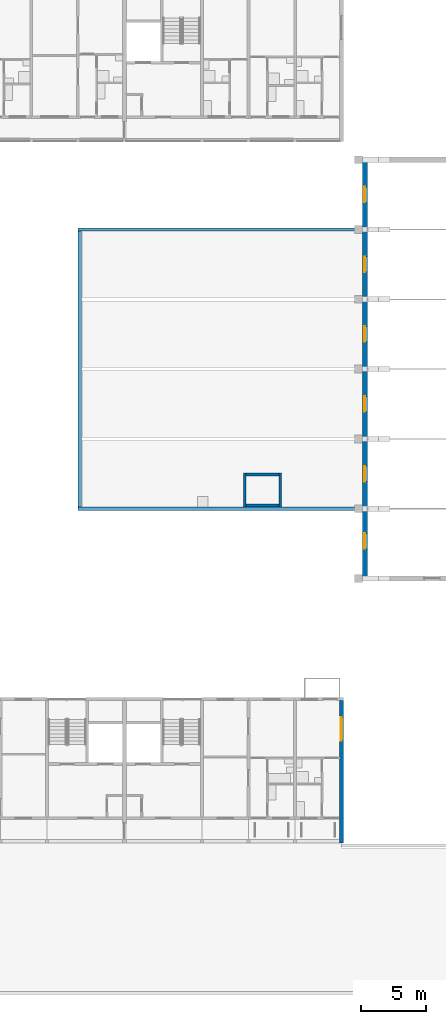
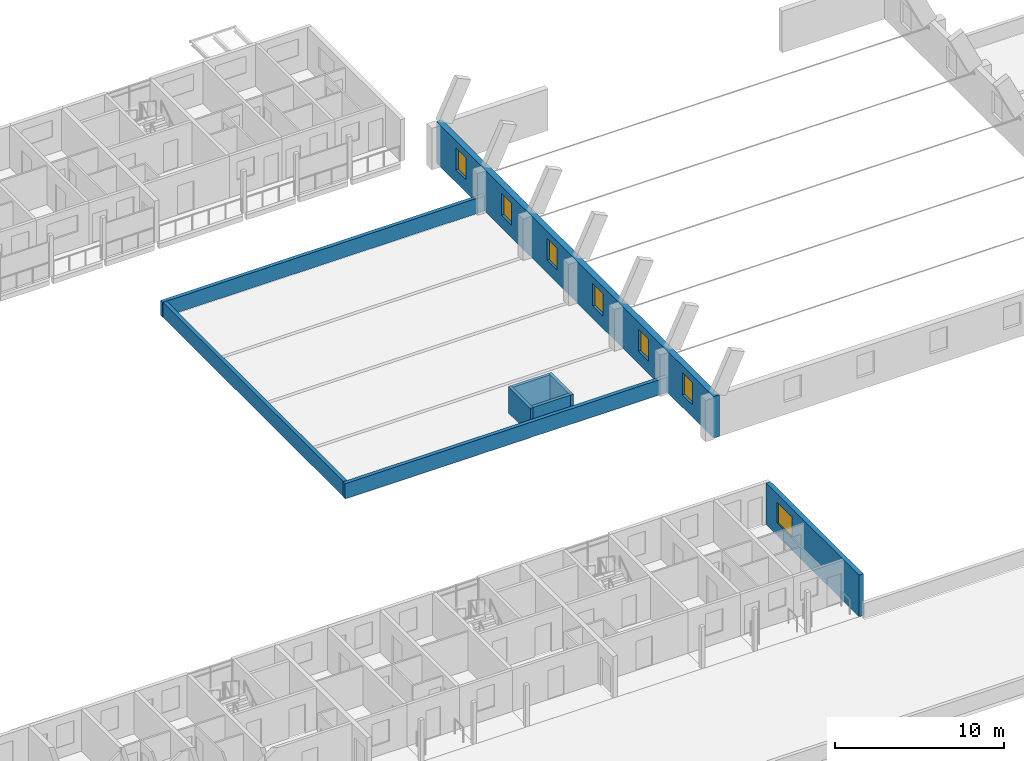
# One storey, part 47 of 115: 9 walls, 7 windows, 7 openings.
"""IFC4 building model written with IfcOpenShell, lengths in metres."""

from ifc_helpers import new_model, si_unit, direction, frame, frame_2d, origin, place, context, subcontext, project, spatial, rectangle, extrude, material, layer, layer_set, type_object, element, fill, save


model = new_model("IFC4")

# Units and contexts
model_context = context("Model", 3, precision=1e-05, world=origin(), true_north=direction((0.0, 1.0)))
body_context = subcontext(model_context, "Body", "Model", "MODEL_VIEW")
ifc_project = project(units=[si_unit("LENGTHUNIT", "METRE"), si_unit("AREAUNIT", "SQUARE_METRE"), si_unit("VOLUMEUNIT", "CUBIC_METRE"), si_unit("PLANEANGLEUNIT", "RADIAN"), si_unit("MASSUNIT", "GRAM", prefix="KILO")], contexts=[model_context])

# Site, building, storey
site_placement = place(None, origin())
site = spatial("IfcSite", under=ifc_project, at=site_placement, CompositionType="ELEMENT")
building_placement = place(site_placement, origin())
building = spatial("IfcBuilding", under=site, at=building_placement, Name="Ridgestep Commons", CompositionType="ELEMENT")
storey_placement = place(building_placement, frame((0.0, 0.0, 6.0)))
storey = spatial("IfcBuildingStorey", under=building, at=storey_placement, Name="L02", CompositionType="ELEMENT", Elevation=6.0)

# Walls
ifc_material_1 = material(Name="Concrete C30/37", Category="concrete")
ifc_layer_1 = layer(ifc_material_1, 0.199951171875)
ifc_layer_set_1 = layer_set([ifc_layer_1], Name="Community exposed shaft wall 200")
wall_type_1 = type_object("IfcWallType", Name="Community exposed shaft wall 200", PredefinedType="SOLIDWALL", material=ifc_layer_set_1)
for number, where, z_axis, x_axis, name in (
    (1, (107.949951171875, 40.25, 0.0), (0.0, 0.0, 1.0), (-1.0, 0.0, 0.0), "Community exposed shaft wall 200"),
    (2, (107.949951171875, 37.85009765625, 0.0), (0.0, 0.0, 1.0), (-1.0, 0.0, 0.0), "Community exposed shaft wall 200"),
):
    element("IfcWall", number, at=place(storey_placement, frame(where, z_axis=z_axis, x_axis=x_axis)), inside=storey, type_object=wall_type_1, Name=name, PredefinedType="SOLIDWALL", context=body_context, shape_type="SweptSolid", body=[
        extrude(rectangle(XDim=2.550048828125, YDim=0.199951171875, at=frame_2d((1.27490234375, 0.0))), origin(), (0.0, 0.0, 1.0), 1.89990234375),
    ])
for number, where, z_axis, x_axis, name in (
    (3, (108.050048828125, 37.75, 0.0), (0.0, 0.0, 1.0), (0.0, 1.0, 0.0), "Community exposed shaft wall 200"),
    (4, (105.300048828125, 37.75, 0.0), (0.0, 0.0, 1.0), (0.0, 1.0, 0.0), "Community exposed shaft wall 200"),
):
    element("IfcWall", number, at=place(storey_placement, frame(where, z_axis=z_axis, x_axis=x_axis)), inside=storey, type_object=wall_type_1, Name=name, PredefinedType="SOLIDWALL", context=body_context, shape_type="SweptSolid", body=[
        extrude(rectangle(XDim=2.60009765625, YDim=0.199951171875, at=frame_2d((1.300048828125, 0.0))), origin(), (0.0, 0.0, 1.0), 1.89990234375),
    ])
ifc_material_2 = material(Name="Precast concrete C40/50", Category="concrete")
ifc_layer_2 = layer(ifc_material_2, 0.25)
ifc_layer_set_2 = layer_set([ifc_layer_2], Name="Community parapet 250")
wall_type_2 = type_object("IfcWallType", Name="Community parapet 250", PredefinedType="PARAPET", material=ifc_layer_set_2)
for number, where, z_axis, x_axis, name in (
    (5, (114.39990234375, 37.60009765625, 0.0), (0.0, 0.0, 1.0), (-1.0, 0.0, 0.0), "Community parapet 250"),
    (6, (114.39990234375, 59.199951171875, 0.0), (0.0, 0.0, 1.0), (-1.0, 0.0, 0.0), "Community parapet 250"),
):
    element("IfcWall", number, at=place(storey_placement, frame(where, z_axis=z_axis, x_axis=x_axis)), inside=storey, type_object=wall_type_2, Name=name, PredefinedType="PARAPET", context=body_context, shape_type="SweptSolid", body=[
        extrude(rectangle(XDim=22.0, YDim=0.25, at=frame_2d((11.0, 0.0))), origin(), (0.0, 0.0, 1.0), 1.10009765625),
    ])
wall_1_placement = place(storey_placement, frame((92.550048828125, 37.72509765625, 0.0), z_axis=(0.0, 0.0, 1.0), x_axis=(0.0, 1.0, 0.0)))
element("IfcWall", 7, at=wall_1_placement, inside=storey, type_object=wall_type_2, Name="Community parapet 250", PredefinedType="PARAPET", context=body_context, shape_type="SweptSolid", body=[
    extrude(rectangle(XDim=21.349853515625, YDim=0.25, at=frame_2d((10.6748046875, 0.0))), origin(), (0.0, 0.0, 1.0), 1.10009765625),
])

# Wall, opening, window
ifc_material_3 = material(Name="Precast concrete C40/50", Category="concrete")
ifc_layer_3 = layer(ifc_material_3, 0.300048828125)
ifc_layer_set_3 = layer_set([ifc_layer_3], Name="Exposed division wall 300")
wall_type_3 = type_object("IfcWallType", Name="Exposed division wall 300", PredefinedType="SHEAR", material=ifc_layer_set_3)
wall_2_placement = place(storey_placement, frame((112.800048828125, 11.75, 0.0), z_axis=(0.0, 0.0, 1.0), x_axis=(0.0, 1.0, 0.0)))
wall_2 = element("IfcWall", 8, at=wall_2_placement, inside=storey, type_object=wall_type_3, Name="Cross wall A-02-1128", PredefinedType="SHEAR", context=body_context, shape_type="SweptSolid", body=[
    extrude(rectangle(XDim=11.0, YDim=0.300048828125, at=frame_2d((5.5, 0.0))), origin(), (0.0, 0.0, 1.0), 3.0),
])
opening_1_placement = place(wall_2_placement, frame((7.905029296875, 0.0, 0.89990234375)))
opening_1 = element("IfcOpeningElement", 9, at=opening_1_placement, cuts=wall_2, Name="Opening W20", PredefinedType="OPENING", context=body_context, shape_type="SweptSolid", body=[
    extrude(rectangle(XDim=1.800048828125, YDim=1.5, at=frame_2d((0.89990234375, 0.75))), frame((0.0, 0.159912109375, 0.0), z_axis=(0.0, -1.0, 0.0), x_axis=(1.0, 0.0, 0.0)), (0.0, 0.0, 1.0), 0.320068359375),
])
ifc_material_4 = material(Name="Aluminium 6063-T6 and glass", Category="aluminium")
window_type_1 = type_object("IfcWindowType", Name="Flat window 1800 x 1500", PartitioningType="DOUBLE_PANEL_VERTICAL", PredefinedType="WINDOW", material=ifc_material_4)
window_1_placement = place(opening_1_placement, origin())
window_1 = element("IfcWindow", 10, at=window_1_placement, inside=storey, type_object=window_type_1, Name="Window A6-02a 3", OverallHeight=1.5, OverallWidth=1.800048828125, PartitioningType="SINGLE_PANEL", PredefinedType="WINDOW", context=body_context, shape_type="SweptSolid", body=[
    extrude(rectangle(XDim=1.800048828125, YDim=1.5, at=frame_2d((0.89990234375, 0.75))), frame((0.0, 0.06005859375, 0.0), z_axis=(0.0, -1.0, 0.0), x_axis=(1.0, 0.0, 0.0)), (0.0, 0.0, 1.0), 0.06005859375),
])
fill(opening_1, window_1)

# Wall, openings, windows
ifc_material_5 = material(Name="Precast concrete C40/50", Category="concrete")
ifc_layer_4 = layer(ifc_material_5, 0.39990234375)
ifc_layer_set_4 = layer_set([ifc_layer_4], Name="Hall wall 400")
wall_type_4 = type_object("IfcWallType", Name="Hall wall 400", PredefinedType="SOLIDWALL", material=ifc_layer_set_4)
wall_3_placement = place(storey_placement, frame((114.60009765625, 32.0, 0.0), z_axis=(0.0, 0.0, 1.0), x_axis=(0.0, 1.0, 0.0)))
wall_3 = element("IfcWall", 11, at=wall_3_placement, inside=storey, type_object=wall_type_4, Name="Hall wall 400", PredefinedType="SOLIDWALL", context=body_context, shape_type="SweptSolid", body=[
    extrude(rectangle(XDim=32.800048828125, YDim=0.39990234375, at=frame_2d((16.39990234375, 0.0))), origin(), (0.0, 0.0, 1.0), 3.0),
])
opening_2_placement = place(wall_3_placement, frame((2.5, 0.0, 0.89990234375)))
opening_2 = element("IfcOpeningElement", 12, at=opening_2_placement, cuts=wall_3, Name="Opening WK6", PredefinedType="OPENING", context=body_context, shape_type="SweptSolid", body=[
    extrude(rectangle(XDim=1.199951171875, YDim=1.60009765625, at=frame_2d((0.60009765625, 0.800048828125))), frame((0.0, 0.2099609375, 0.0), z_axis=(0.0, -1.0, 0.0), x_axis=(1.0, 0.0, 0.0)), (0.0, 0.0, 1.0), 0.419921875),
])
opening_3_placement = place(wall_3_placement, frame((29.300048828125, 0.0, 0.89990234375)))
opening_3 = element("IfcOpeningElement", 13, at=opening_3_placement, cuts=wall_3, Name="Opening WK6", PredefinedType="OPENING", context=body_context, shape_type="SweptSolid", body=[
    extrude(rectangle(XDim=1.199951171875, YDim=1.60009765625, at=frame_2d((0.60009765625, 0.800048828125))), frame((0.0, 0.2099609375, 0.0), z_axis=(0.0, -1.0, 0.0), x_axis=(1.0, 0.0, 0.0)), (0.0, 0.0, 1.0), 0.419921875),
])
opening_4_placement = place(wall_3_placement, frame((7.699951171875, 0.0, 0.89990234375)))
opening_4 = element("IfcOpeningElement", 14, at=opening_4_placement, cuts=wall_3, Name="Opening WK6", PredefinedType="OPENING", context=body_context, shape_type="SweptSolid", body=[
    extrude(rectangle(XDim=1.199951171875, YDim=1.60009765625, at=frame_2d((0.60009765625, 0.800048828125))), frame((0.0, 0.2099609375, 0.0), z_axis=(0.0, -1.0, 0.0), x_axis=(1.0, 0.0, 0.0)), (0.0, 0.0, 1.0), 0.419921875),
])
opening_5_placement = place(wall_3_placement, frame((13.10009765625, 0.0, 0.89990234375)))
opening_5 = element("IfcOpeningElement", 15, at=opening_5_placement, cuts=wall_3, Name="Opening WK6", PredefinedType="OPENING", context=body_context, shape_type="SweptSolid", body=[
    extrude(rectangle(XDim=1.199951171875, YDim=1.60009765625, at=frame_2d((0.60009765625, 0.800048828125))), frame((0.0, 0.2099609375, 0.0), z_axis=(0.0, -1.0, 0.0), x_axis=(1.0, 0.0, 0.0)), (0.0, 0.0, 1.0), 0.419921875),
])
opening_6_placement = place(wall_3_placement, frame((18.5, 0.0, 0.89990234375)))
opening_6 = element("IfcOpeningElement", 16, at=opening_6_placement, cuts=wall_3, Name="Opening WK6", PredefinedType="OPENING", context=body_context, shape_type="SweptSolid", body=[
    extrude(rectangle(XDim=1.199951171875, YDim=1.60009765625, at=frame_2d((0.60009765625, 0.800048828125))), frame((0.0, 0.2099609375, 0.0), z_axis=(0.0, -1.0, 0.0), x_axis=(1.0, 0.0, 0.0)), (0.0, 0.0, 1.0), 0.419921875),
])
opening_7_placement = place(wall_3_placement, frame((23.89990234375, 0.0, 0.89990234375)))
opening_7 = element("IfcOpeningElement", 17, at=opening_7_placement, cuts=wall_3, Name="Opening WK6", PredefinedType="OPENING", context=body_context, shape_type="SweptSolid", body=[
    extrude(rectangle(XDim=1.199951171875, YDim=1.60009765625, at=frame_2d((0.60009765625, 0.800048828125))), frame((0.0, 0.2099609375, 0.0), z_axis=(0.0, -1.0, 0.0), x_axis=(1.0, 0.0, 0.0)), (0.0, 0.0, 1.0), 0.419921875),
])
ifc_material_6 = material(Name="Aluminium and glass", Category="aluminium")
window_type_2 = type_object("IfcWindowType", Name="Community high window 1200 x 1600", PartitioningType="SINGLE_PANEL", PredefinedType="WINDOW", material=ifc_material_6)
window_2_placement = place(opening_2_placement, origin())
window_2 = element("IfcWindow", 18, at=window_2_placement, inside=storey, type_object=window_type_2, Name="Community high window 1200 x 1600", OverallHeight=1.60009765625, OverallWidth=1.199951171875, PartitioningType="SINGLE_PANEL", PredefinedType="WINDOW", context=body_context, shape_type="SweptSolid", body=[
    extrude(rectangle(XDim=1.199951171875, YDim=1.60009765625, at=frame_2d((0.60009765625, 0.800048828125))), frame((0.0, 0.030029296875, 0.0), z_axis=(0.0, -1.0, 0.0), x_axis=(1.0, 0.0, 0.0)), (0.0, 0.0, 1.0), 0.06005859375),
])
fill(opening_2, window_2)
window_3_placement = place(opening_3_placement, origin())
window_3 = element("IfcWindow", 19, at=window_3_placement, inside=storey, type_object=window_type_2, Name="Community high window 1200 x 1600", OverallHeight=1.60009765625, OverallWidth=1.199951171875, PartitioningType="SINGLE_PANEL", PredefinedType="WINDOW", context=body_context, shape_type="SweptSolid", body=[
    extrude(rectangle(XDim=1.199951171875, YDim=1.60009765625, at=frame_2d((0.60009765625, 0.800048828125))), frame((0.0, 0.030029296875, 0.0), z_axis=(0.0, -1.0, 0.0), x_axis=(1.0, 0.0, 0.0)), (0.0, 0.0, 1.0), 0.06005859375),
])
fill(opening_3, window_3)
window_4_placement = place(opening_4_placement, origin())
window_4 = element("IfcWindow", 20, at=window_4_placement, inside=storey, type_object=window_type_2, Name="Community high window 1200 x 1600", OverallHeight=1.60009765625, OverallWidth=1.199951171875, PartitioningType="SINGLE_PANEL", PredefinedType="WINDOW", context=body_context, shape_type="SweptSolid", body=[
    extrude(rectangle(XDim=1.199951171875, YDim=1.60009765625, at=frame_2d((0.60009765625, 0.800048828125))), frame((0.0, 0.030029296875, 0.0), z_axis=(0.0, -1.0, 0.0), x_axis=(1.0, 0.0, 0.0)), (0.0, 0.0, 1.0), 0.06005859375),
])
fill(opening_4, window_4)
window_5_placement = place(opening_5_placement, origin())
window_5 = element("IfcWindow", 21, at=window_5_placement, inside=storey, type_object=window_type_2, Name="Community high window 1200 x 1600", OverallHeight=1.60009765625, OverallWidth=1.199951171875, PartitioningType="SINGLE_PANEL", PredefinedType="WINDOW", context=body_context, shape_type="SweptSolid", body=[
    extrude(rectangle(XDim=1.199951171875, YDim=1.60009765625, at=frame_2d((0.60009765625, 0.800048828125))), frame((0.0, 0.030029296875, 0.0), z_axis=(0.0, -1.0, 0.0), x_axis=(1.0, 0.0, 0.0)), (0.0, 0.0, 1.0), 0.06005859375),
])
fill(opening_5, window_5)
window_6_placement = place(opening_6_placement, origin())
window_6 = element("IfcWindow", 22, at=window_6_placement, inside=storey, type_object=window_type_2, Name="Community high window 1200 x 1600", OverallHeight=1.60009765625, OverallWidth=1.199951171875, PartitioningType="SINGLE_PANEL", PredefinedType="WINDOW", context=body_context, shape_type="SweptSolid", body=[
    extrude(rectangle(XDim=1.199951171875, YDim=1.60009765625, at=frame_2d((0.60009765625, 0.800048828125))), frame((0.0, 0.030029296875, 0.0), z_axis=(0.0, -1.0, 0.0), x_axis=(1.0, 0.0, 0.0)), (0.0, 0.0, 1.0), 0.06005859375),
])
fill(opening_6, window_6)
window_7_placement = place(opening_7_placement, origin())
window_7 = element("IfcWindow", 23, at=window_7_placement, inside=storey, type_object=window_type_2, Name="Community high window 1200 x 1600", OverallHeight=1.60009765625, OverallWidth=1.199951171875, PartitioningType="SINGLE_PANEL", PredefinedType="WINDOW", context=body_context, shape_type="SweptSolid", body=[
    extrude(rectangle(XDim=1.199951171875, YDim=1.60009765625, at=frame_2d((0.60009765625, 0.800048828125))), frame((0.0, 0.030029296875, 0.0), z_axis=(0.0, -1.0, 0.0), x_axis=(1.0, 0.0, 0.0)), (0.0, 0.0, 1.0), 0.06005859375),
])
fill(opening_7, window_7)

save(model, "model.ifc")
